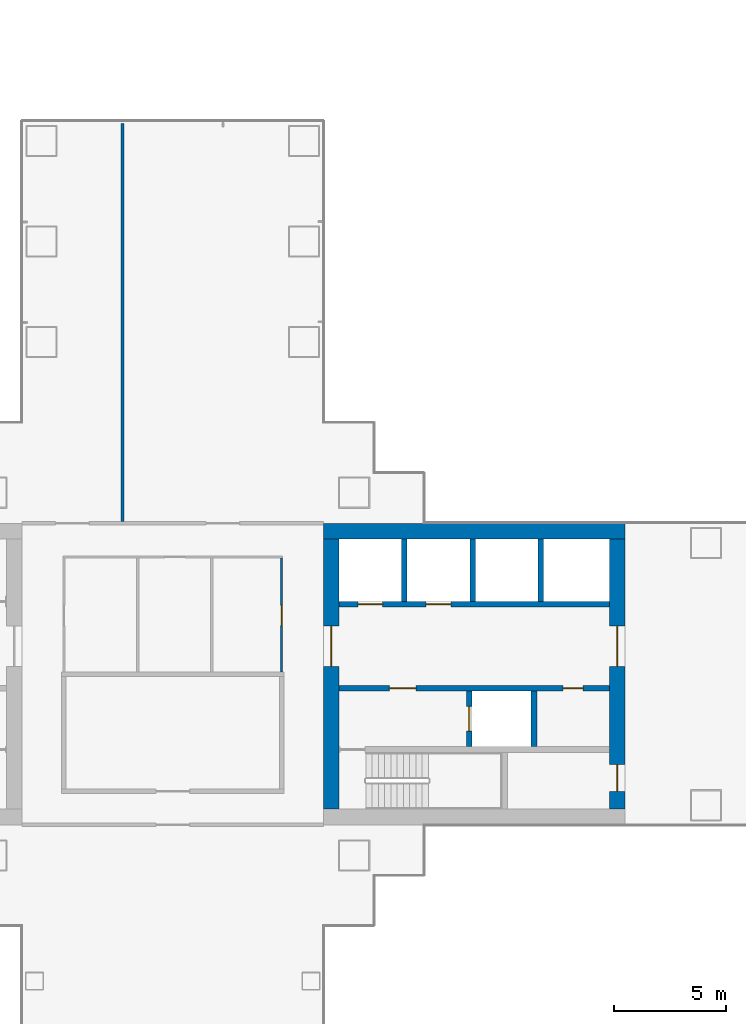
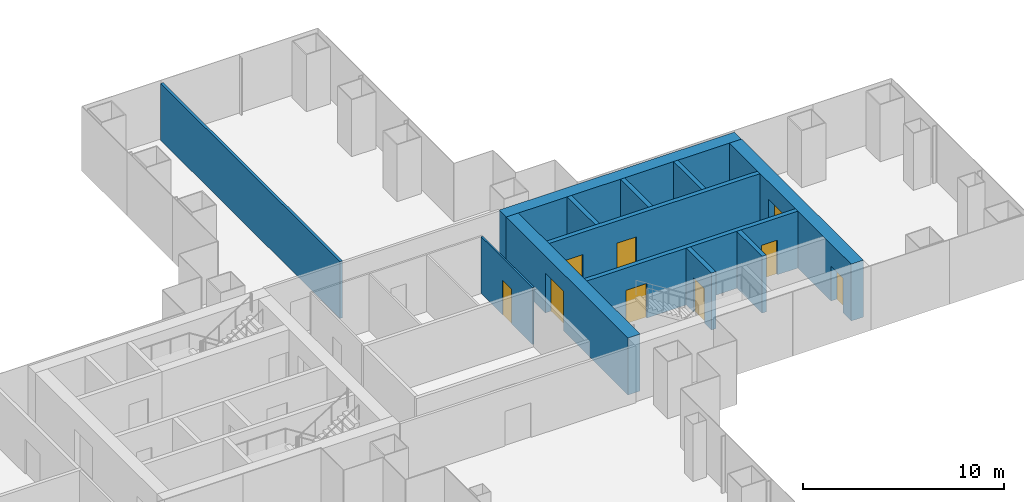
# One storey, part 15 of 22: 12 walls, 9 doors, 9 openings.
"""IFC4 building model written with IfcOpenShell, lengths in metres."""

from ifc_helpers import new_model, si_unit, direction, frame, frame_2d, origin, place, context, subcontext, project, spatial, rectangle, extrude, material, layer, layer_set, type_object, element, fill, save


model = new_model("IFC4")

# Units and contexts
model_context = context("Model", 3, precision=1e-05, world=origin(), true_north=direction((0.0, 1.0)))
body_context = subcontext(model_context, "Body", "Model", "MODEL_VIEW")
ifc_project = project(units=[si_unit("LENGTHUNIT", "METRE"), si_unit("AREAUNIT", "SQUARE_METRE"), si_unit("VOLUMEUNIT", "CUBIC_METRE"), si_unit("PLANEANGLEUNIT", "RADIAN"), si_unit("MASSUNIT", "GRAM", prefix="KILO")], contexts=[model_context])

# Site, building, storey
site_placement = place(None, origin())
site = spatial("IfcSite", under=ifc_project, at=site_placement, CompositionType="ELEMENT")
building_placement = place(site_placement, origin())
building = spatial("IfcBuilding", under=site, at=building_placement, Name="Shamsa Quay Exchange Towers", CompositionType="ELEMENT")
storey_placement = place(building_placement, frame((0.0, 0.0, 73.199951171875)))
storey = spatial("IfcBuildingStorey", under=building, at=storey_placement, Name="L16", CompositionType="ELEMENT", Elevation=73.199951171875)

# Wall
ifc_material_1 = material(Name="Concrete C80/95", Category="concrete")
ifc_layer_1 = layer(ifc_material_1, 0.699951171875)
ifc_layer_set_1 = layer_set([ifc_layer_1], Name="CORE WALL 700 C80/95")
wall_type_1 = type_object("IfcWallType", Name="CORE WALL 700 C80/95", PredefinedType="SHEAR", material=ifc_layer_set_1)
wall_1_placement = place(storey_placement, frame((-27.0, 6.39990234375, 0.0)))
element("IfcWall", 1, at=wall_1_placement, inside=storey, type_object=wall_type_1, Name="Core wall T1A-R07-PN", PredefinedType="SHEAR", context=body_context, shape_type="SweptSolid", body=[
    extrude(rectangle(XDim=13.5, YDim=0.699951171875, at=frame_2d((6.75, 0.0))), origin(), (0.0, 0.0, 1.0), 3.449951171875),
])

# Wall, opening, door
wall_2_placement = place(storey_placement, frame((-26.64990234375, 6.050048828125, 0.0), z_axis=(0.0, 0.0, 1.0), x_axis=(0.0, -1.0, 0.0)))
wall_2 = element("IfcWall", 2, at=wall_2_placement, inside=storey, type_object=wall_type_1, Name="Core wall T1A-R07-PF", PredefinedType="SHEAR", context=body_context, shape_type="SweptSolid", body=[
    extrude(rectangle(XDim=12.10009765625, YDim=0.699951171875, at=frame_2d((6.050048828125, 0.0))), origin(), (0.0, 0.0, 1.0), 3.449951171875),
])
opening_1_placement = place(wall_2_placement, frame((3.89990234375, 0.0, 0.0)))
opening_1 = element("IfcOpeningElement", 3, at=opening_1_placement, cuts=wall_2, Name="Opening T1A-R07-LBD01", PredefinedType="OPENING", context=body_context, shape_type="SweptSolid", body=[
    extrude(rectangle(XDim=1.800048828125, YDim=2.39990234375, at=frame_2d((0.89990234375, 1.199951171875))), frame((0.0, 0.35986328125, 0.0), z_axis=(0.0, -1.0, 0.0), x_axis=(1.0, 0.0, 0.0)), (0.0, 0.0, 1.0), 0.719970703125),
])
ifc_material_2 = material(Name="Steel, fire rated", Category="steel")
door_type_1 = type_object("IfcDoorType", Name="LIFT LOBBY DOOR PAIR 1800", OperationType="DOUBLE_DOOR_SINGLE_SWING", PredefinedType="DOOR", material=ifc_material_2)
door_1_placement = place(opening_1_placement, origin())
door_1 = element("IfcDoor", 4, at=door_1_placement, inside=storey, type_object=door_type_1, Name="T1A-R07-LBD01", OperationType="DOUBLE_DOOR_SINGLE_SWING", OverallHeight=2.39990234375, OverallWidth=1.800048828125, PredefinedType="DOOR", context=body_context, shape_type="SweptSolid", body=[
    extrude(rectangle(XDim=1.800048828125, YDim=2.39990234375, at=frame_2d((0.89990234375, 1.199951171875))), frame((0.0, 0.02490234375, 0.0), z_axis=(0.0, -1.0, 0.0), x_axis=(1.0, 0.0, 0.0)), (0.0, 0.0, 1.0), 0.050048828125),
])
fill(opening_1, door_1)

# Wall, openings, doors
wall_3_placement = place(storey_placement, frame((-13.85009765625, 6.050048828125, 0.0), z_axis=(0.0, 0.0, 1.0), x_axis=(0.0, -1.0, 0.0)))
wall_3 = element("IfcWall", 5, at=wall_3_placement, inside=storey, type_object=wall_type_1, Name="Core wall T1A-R07-PB", PredefinedType="SHEAR", context=body_context, shape_type="SweptSolid", body=[
    extrude(rectangle(XDim=12.10009765625, YDim=0.699951171875, at=frame_2d((6.050048828125, 0.0))), origin(), (0.0, 0.0, 1.0), 3.449951171875),
])
opening_2_placement = place(wall_3_placement, frame((10.10009765625, 0.0, 0.0)))
opening_2 = element("IfcOpeningElement", 6, at=opening_2_placement, cuts=wall_3, Name="Opening T1A-R07-RD02", PredefinedType="OPENING", context=body_context, shape_type="SweptSolid", body=[
    extrude(rectangle(XDim=1.199951171875, YDim=2.10009765625, at=frame_2d((0.60009765625, 1.050048828125))), frame((0.0, 0.35986328125, 0.0), z_axis=(0.0, -1.0, 0.0), x_axis=(1.0, 0.0, 0.0)), (0.0, 0.0, 1.0), 0.719970703125),
])
opening_3_placement = place(wall_3_placement, frame((3.89990234375, 0.0, 0.0)))
opening_3 = element("IfcOpeningElement", 7, at=opening_3_placement, cuts=wall_3, Name="Opening T1A-R07-LBD03", PredefinedType="OPENING", context=body_context, shape_type="SweptSolid", body=[
    extrude(rectangle(XDim=1.800048828125, YDim=2.39990234375, at=frame_2d((0.89990234375, 1.199951171875))), frame((0.0, 0.35986328125, 0.0), z_axis=(0.0, -1.0, 0.0), x_axis=(1.0, 0.0, 0.0)), (0.0, 0.0, 1.0), 0.719970703125),
])
door_2_placement = place(opening_3_placement, origin())
door_2 = element("IfcDoor", 8, at=door_2_placement, inside=storey, type_object=door_type_1, Name="T1A-R07-LBD03", OperationType="DOUBLE_DOOR_SINGLE_SWING", OverallHeight=2.39990234375, OverallWidth=1.800048828125, PredefinedType="DOOR", context=body_context, shape_type="SweptSolid", body=[
    extrude(rectangle(XDim=1.800048828125, YDim=2.39990234375, at=frame_2d((0.89990234375, 1.199951171875))), frame((0.0, 0.02490234375, 0.0), z_axis=(0.0, -1.0, 0.0), x_axis=(1.0, 0.0, 0.0)), (0.0, 0.0, 1.0), 0.050048828125),
])
fill(opening_3, door_2)
door_type_2 = type_object("IfcDoorType", Name="RISER ACCESS DOOR 1200", OperationType="SINGLE_SWING_LEFT", PredefinedType="DOOR", material=ifc_material_2)
door_3_placement = place(opening_2_placement, origin())
door_3 = element("IfcDoor", 9, at=door_3_placement, inside=storey, type_object=door_type_2, Name="T1A-R07-RD02", OperationType="SINGLE_SWING_RIGHT", OverallHeight=2.10009765625, OverallWidth=1.199951171875, PredefinedType="DOOR", context=body_context, shape_type="SweptSolid", body=[
    extrude(rectangle(XDim=1.199951171875, YDim=2.10009765625, at=frame_2d((0.60009765625, 1.050048828125))), frame((0.0, 0.02490234375, 0.0), z_axis=(0.0, -1.0, 0.0), x_axis=(1.0, 0.0, 0.0)), (0.0, 0.0, 1.0), 0.050048828125),
])
fill(opening_2, door_3)

# Wall, opening, door
ifc_material_3 = material(Name="Gypsum board partition on metal studs")
ifc_layer_2 = layer(ifc_material_3, 0.10009765625)
ifc_layer_set_2 = layer_set([ifc_layer_2], Name="Partition 100 mm NOT RATED")
wall_type_2 = type_object("IfcWallType", Name="Partition 100 mm NOT RATED", PredefinedType="PARTITIONING", material=ifc_layer_set_2)
wall_4_placement = place(storey_placement, frame((-28.875, 0.10009765625, 0.0), z_axis=(0.0, 0.0, 1.0), x_axis=(0.0, 1.0, 0.0)))
wall_4 = element("IfcWall", 10, at=wall_4_placement, inside=storey, type_object=wall_type_2, Name="Partition T1-R07-W06", PredefinedType="PARTITIONING", context=body_context, shape_type="SweptSolid", body=[
    extrude(rectangle(XDim=5.099853515625, YDim=0.10009765625, at=frame_2d((2.5498046875, 0.0))), origin(), (0.0, 0.0, 1.0), 3.449951171875),
])
opening_4_placement = place(wall_4_placement, frame((2.074951171875, 0.0, 0.0)))
opening_4 = element("IfcOpeningElement", 11, at=opening_4_placement, cuts=wall_4, Name="Opening T1-R07-D07", PredefinedType="OPENING", context=body_context, shape_type="SweptSolid", body=[
    extrude(rectangle(XDim=0.89990234375, YDim=2.10009765625, at=frame_2d((0.449951171875, 1.050048828125))), frame((0.0, 0.06005859375, 0.0), z_axis=(0.0, -1.0, 0.0), x_axis=(1.0, 0.0, 0.0)), (0.0, 0.0, 1.0), 0.1201171875),
])
ifc_material_4 = material(Name="Timber door leaf in a metal frame", Category="wood")
door_type_3 = type_object("IfcDoorType", Name="Door 900x2100 NOT RATED", OperationType="NOTDEFINED", PredefinedType="DOOR", material=ifc_material_4)
door_4_placement = place(opening_4_placement, origin())
door_4 = element("IfcDoor", 12, at=door_4_placement, inside=storey, type_object=door_type_3, Name="Door T1-R07-D07", OperationType="SINGLE_SWING_LEFT", OverallHeight=2.10009765625, OverallWidth=0.89990234375, PredefinedType="DOOR", context=body_context, shape_type="SweptSolid", body=[
    extrude(rectangle(XDim=0.89990234375, YDim=2.10009765625, at=frame_2d((0.449951171875, 1.050048828125))), frame((0.0, 0.02490234375, 0.0), z_axis=(0.0, -1.0, 0.0), x_axis=(1.0, 0.0, 0.0)), (0.0, 0.0, 1.0), 0.050048828125),
])
fill(opening_4, door_4)

# Wall
ifc_layer_3 = layer(ifc_material_3, 0.14990234375)
ifc_layer_set_3 = layer_set([ifc_layer_3], Name="Partition 150 mm EI 60")
wall_type_3 = type_object("IfcWallType", Name="Partition 150 mm EI 60", PredefinedType="PARTITIONING", material=ifc_layer_set_3)
wall_5_placement = place(storey_placement, frame((-36.0, 6.824951171875, 0.0), z_axis=(0.0, 0.0, 1.0), x_axis=(0.0, 1.0, 0.0)))
element("IfcWall", 13, at=wall_5_placement, inside=storey, type_object=wall_type_3, Name="Partition T1-R07-W14", PredefinedType="PARTITIONING", context=body_context, shape_type="SweptSolid", body=[
    extrude(rectangle(XDim=17.830078125, YDim=0.14990234375, at=frame_2d((8.9150390625, 0.0))), origin(), (0.0, 0.0, 1.0), 3.449951171875),
])

# Wall, openings, doors
ifc_material_5 = material(Name="Concrete C50/60", Category="concrete")
ifc_layer_4 = layer(ifc_material_5, 0.25)
ifc_layer_set_4 = layer_set([ifc_layer_4], Name="SHAFT WALL 250 C50/60")
wall_type_4 = type_object("IfcWallType", Name="SHAFT WALL 250 C50/60", PredefinedType="SHEAR", material=ifc_layer_set_4)
wall_6_placement = place(storey_placement, frame((-14.199951171875, -0.625, 0.0), z_axis=(0.0, 0.0, 1.0), x_axis=(-1.0, 0.0, 0.0)))
wall_6 = element("IfcWall", 14, at=wall_6_placement, inside=storey, type_object=wall_type_4, Name="Shaft wall T1A-R07-B", PredefinedType="SHEAR", context=body_context, shape_type="SweptSolid", body=[
    extrude(rectangle(XDim=12.10009765625, YDim=0.25, at=frame_2d((6.050048828125, 0.0))), origin(), (0.0, 0.0, 1.0), 3.449951171875),
])
opening_5_placement = place(wall_6_placement, frame((8.64990234375, 0.0, 0.0)))
opening_5 = element("IfcOpeningElement", 15, at=opening_5_placement, cuts=wall_6, Name="Opening T1A-R07-FD05", PredefinedType="OPENING", context=body_context, shape_type="SweptSolid", body=[
    extrude(rectangle(XDim=1.199951171875, YDim=2.10009765625, at=frame_2d((0.60009765625, 1.050048828125))), frame((0.0, 0.135009765625, 0.0), z_axis=(0.0, -1.0, 0.0), x_axis=(1.0, 0.0, 0.0)), (0.0, 0.0, 1.0), 0.27001953125),
])
opening_6_placement = place(wall_6_placement, frame((1.175048828125, 0.0, 0.0)))
opening_6 = element("IfcOpeningElement", 16, at=opening_6_placement, cuts=wall_6, Name="Opening T1A-R07-SV06", PredefinedType="OPENING", context=body_context, shape_type="SweptSolid", body=[
    extrude(rectangle(XDim=0.89990234375, YDim=2.10009765625, at=frame_2d((0.449951171875, 1.050048828125))), frame((0.0, 0.135009765625, 0.0), z_axis=(0.0, -1.0, 0.0), x_axis=(1.0, 0.0, 0.0)), (0.0, 0.0, 1.0), 0.27001953125),
])
door_type_4 = type_object("IfcDoorType", Name="FIRE SERVICE LOBBY DOOR 1200", OperationType="SINGLE_SWING_LEFT", PredefinedType="DOOR", material=ifc_material_2)
door_5_placement = place(opening_5_placement, origin())
door_5 = element("IfcDoor", 17, at=door_5_placement, inside=storey, type_object=door_type_4, Name="T1A-R07-FD05", OperationType="SINGLE_SWING_RIGHT", OverallHeight=2.10009765625, OverallWidth=1.199951171875, PredefinedType="DOOR", context=body_context, shape_type="SweptSolid", body=[
    extrude(rectangle(XDim=1.199951171875, YDim=2.10009765625, at=frame_2d((0.60009765625, 1.050048828125))), frame((0.0, 0.02490234375, 0.0), z_axis=(0.0, -1.0, 0.0), x_axis=(1.0, 0.0, 0.0)), (0.0, 0.0, 1.0), 0.050048828125),
])
fill(opening_5, door_5)
door_type_5 = type_object("IfcDoorType", Name="SERVICE ROOM DOOR 900", OperationType="SINGLE_SWING_LEFT", PredefinedType="DOOR", material=ifc_material_2)
door_6_placement = place(opening_6_placement, origin())
door_6 = element("IfcDoor", 18, at=door_6_placement, inside=storey, type_object=door_type_5, Name="T1A-R07-SV06", OperationType="SINGLE_SWING_LEFT", OverallHeight=2.10009765625, OverallWidth=0.89990234375, PredefinedType="DOOR", context=body_context, shape_type="SweptSolid", body=[
    extrude(rectangle(XDim=0.89990234375, YDim=2.10009765625, at=frame_2d((0.449951171875, 1.050048828125))), frame((0.0, 0.02490234375, 0.0), z_axis=(0.0, -1.0, 0.0), x_axis=(1.0, 0.0, 0.0)), (0.0, 0.0, 1.0), 0.050048828125),
])
fill(opening_6, door_6)

# Wall, opening, door
wall_7_placement = place(storey_placement, frame((-20.47509765625, -3.25, 0.0), z_axis=(0.0, 0.0, 1.0), x_axis=(0.0, 1.0, 0.0)))
wall_7 = element("IfcWall", 19, at=wall_7_placement, inside=storey, type_object=wall_type_4, Name="Shaft wall T1A-R07-FFF", PredefinedType="SHEAR", context=body_context, shape_type="SweptSolid", body=[
    extrude(rectangle(XDim=2.5, YDim=0.25, at=frame_2d((1.25, 0.0))), origin(), (0.0, 0.0, 1.0), 3.449951171875),
])
opening_7_placement = place(wall_7_placement, frame((0.699951171875, 0.0, 0.0)))
opening_7 = element("IfcOpeningElement", 20, at=opening_7_placement, cuts=wall_7, Name="Opening T1A-R07-LDF07", PredefinedType="OPENING", context=body_context, shape_type="SweptSolid", body=[
    extrude(rectangle(XDim=1.10009765625, YDim=2.10009765625, at=frame_2d((0.550048828125, 1.050048828125))), frame((0.0, 0.135009765625, 0.0), z_axis=(0.0, -1.0, 0.0), x_axis=(1.0, 0.0, 0.0)), (0.0, 0.0, 1.0), 0.27001953125),
])
door_type_6 = type_object("IfcDoorType", Name="FIRE SERVICE LANDING DOOR 1100", OperationType="SLIDING_TO_LEFT", PredefinedType="DOOR", material=ifc_material_2)
door_7_placement = place(opening_7_placement, origin())
door_7 = element("IfcDoor", 21, at=door_7_placement, inside=storey, type_object=door_type_6, Name="T1A-R07-LDF07", OperationType="SLIDING_TO_LEFT", OverallHeight=2.10009765625, OverallWidth=1.10009765625, PredefinedType="DOOR", context=body_context, shape_type="SweptSolid", body=[
    extrude(rectangle(XDim=1.10009765625, YDim=2.10009765625, at=frame_2d((0.550048828125, 1.050048828125))), frame((0.0, 0.02490234375, 0.0), z_axis=(0.0, -1.0, 0.0), x_axis=(1.0, 0.0, 0.0)), (0.0, 0.0, 1.0), 0.050048828125),
])
fill(opening_7, door_7)

# Wall
wall_8_placement = place(storey_placement, frame((-17.574951171875, -3.25, 0.0), z_axis=(0.0, 0.0, 1.0), x_axis=(0.0, 1.0, 0.0)))
element("IfcWall", 22, at=wall_8_placement, inside=storey, type_object=wall_type_4, Name="Shaft wall T1A-R07-FFB", PredefinedType="SHEAR", context=body_context, shape_type="SweptSolid", body=[
    extrude(rectangle(XDim=2.5, YDim=0.25, at=frame_2d((1.25, 0.0))), origin(), (0.0, 0.0, 1.0), 3.449951171875),
])

# Wall, openings, doors
wall_9_placement = place(storey_placement, frame((-26.300048828125, 3.125, 0.0)))
wall_9 = element("IfcWall", 23, at=wall_9_placement, inside=storey, type_object=wall_type_4, Name="Shaft wall T1A-R07-N", PredefinedType="SHEAR", context=body_context, shape_type="SweptSolid", body=[
    extrude(rectangle(XDim=12.10009765625, YDim=0.25, at=frame_2d((6.050048828125, 0.0))), origin(), (0.0, 0.0, 1.0), 3.449951171875),
])
opening_8_placement = place(wall_9_placement, frame((0.85009765625, 0.0, 0.0)))
opening_8 = element("IfcOpeningElement", 24, at=opening_8_placement, cuts=wall_9, Name="Opening T1A-R07-LD08", PredefinedType="OPENING", context=body_context, shape_type="SweptSolid", body=[
    extrude(rectangle(XDim=1.10009765625, YDim=2.10009765625, at=frame_2d((0.550048828125, 1.050048828125))), frame((0.0, 0.135009765625, 0.0), z_axis=(0.0, -1.0, 0.0), x_axis=(1.0, 0.0, 0.0)), (0.0, 0.0, 1.0), 0.27001953125),
])
opening_9_placement = place(wall_9_placement, frame((3.89990234375, 0.0, 0.0)))
opening_9 = element("IfcOpeningElement", 25, at=opening_9_placement, cuts=wall_9, Name="Opening T1A-R07-LD09", PredefinedType="OPENING", context=body_context, shape_type="SweptSolid", body=[
    extrude(rectangle(XDim=1.10009765625, YDim=2.10009765625, at=frame_2d((0.550048828125, 1.050048828125))), frame((0.0, 0.135009765625, 0.0), z_axis=(0.0, -1.0, 0.0), x_axis=(1.0, 0.0, 0.0)), (0.0, 0.0, 1.0), 0.27001953125),
])
door_type_7 = type_object("IfcDoorType", Name="LANDING DOOR 1100", OperationType="SLIDING_TO_LEFT", PredefinedType="DOOR", material=ifc_material_2)
door_8_placement = place(opening_8_placement, origin())
door_8 = element("IfcDoor", 26, at=door_8_placement, inside=storey, type_object=door_type_7, Name="T1A-R07-LD08", OperationType="SLIDING_TO_LEFT", OverallHeight=2.10009765625, OverallWidth=1.10009765625, PredefinedType="DOOR", context=body_context, shape_type="SweptSolid", body=[
    extrude(rectangle(XDim=1.10009765625, YDim=2.10009765625, at=frame_2d((0.550048828125, 1.050048828125))), frame((0.0, 0.02490234375, 0.0), z_axis=(0.0, -1.0, 0.0), x_axis=(1.0, 0.0, 0.0)), (0.0, 0.0, 1.0), 0.050048828125),
])
fill(opening_8, door_8)
door_9_placement = place(opening_9_placement, origin())
door_9 = element("IfcDoor", 27, at=door_9_placement, inside=storey, type_object=door_type_7, Name="T1A-R07-LD09", OperationType="SLIDING_TO_LEFT", OverallHeight=2.10009765625, OverallWidth=1.10009765625, PredefinedType="DOOR", context=body_context, shape_type="SweptSolid", body=[
    extrude(rectangle(XDim=1.10009765625, YDim=2.10009765625, at=frame_2d((0.550048828125, 1.050048828125))), frame((0.0, 0.02490234375, 0.0), z_axis=(0.0, -1.0, 0.0), x_axis=(1.0, 0.0, 0.0)), (0.0, 0.0, 1.0), 0.050048828125),
])
fill(opening_9, door_9)

# Walls
for number, where, z_axis, x_axis, name in (
    (28, (-23.375, 3.25, 0.0), (0.0, 0.0, 1.0), (0.0, 1.0, 0.0), "Shaft wall T1A-R07-D0"),
    (29, (-20.324951171875, 3.25, 0.0), (0.0, 0.0, 1.0), (0.0, 1.0, 0.0), "Shaft wall T1A-R07-D1"),
    (30, (-17.27490234375, 3.25, 0.0), (0.0, 0.0, 1.0), (0.0, 1.0, 0.0), "Shaft wall T1A-R07-D2"),
):
    element("IfcWall", number, at=place(storey_placement, frame(where, z_axis=z_axis, x_axis=x_axis)), inside=storey, type_object=wall_type_4, Name=name, PredefinedType="SHEAR", context=body_context, shape_type="SweptSolid", body=[
        extrude(rectangle(XDim=2.800048828125, YDim=0.25, at=frame_2d((1.39990234375, 0.0))), origin(), (0.0, 0.0, 1.0), 3.449951171875),
    ])

save(model, "model.ifc")
